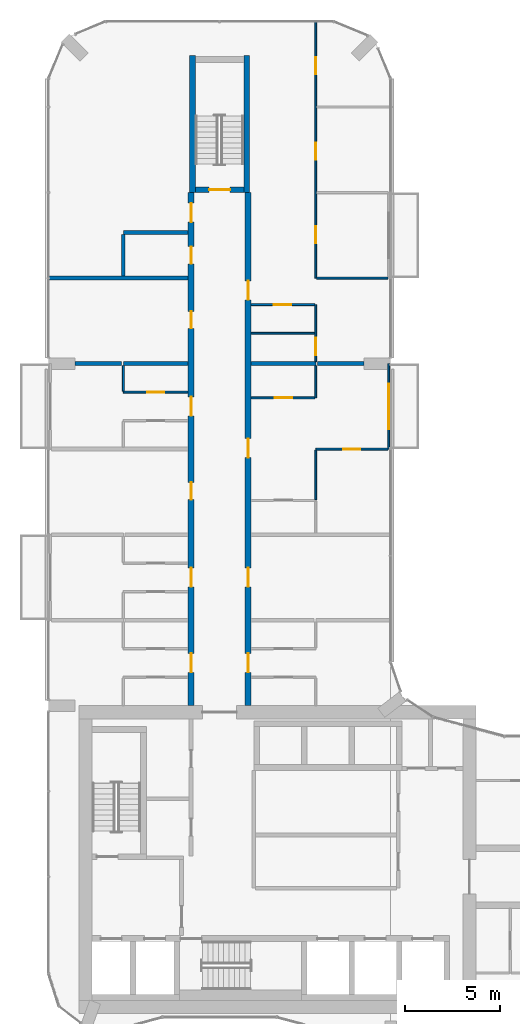
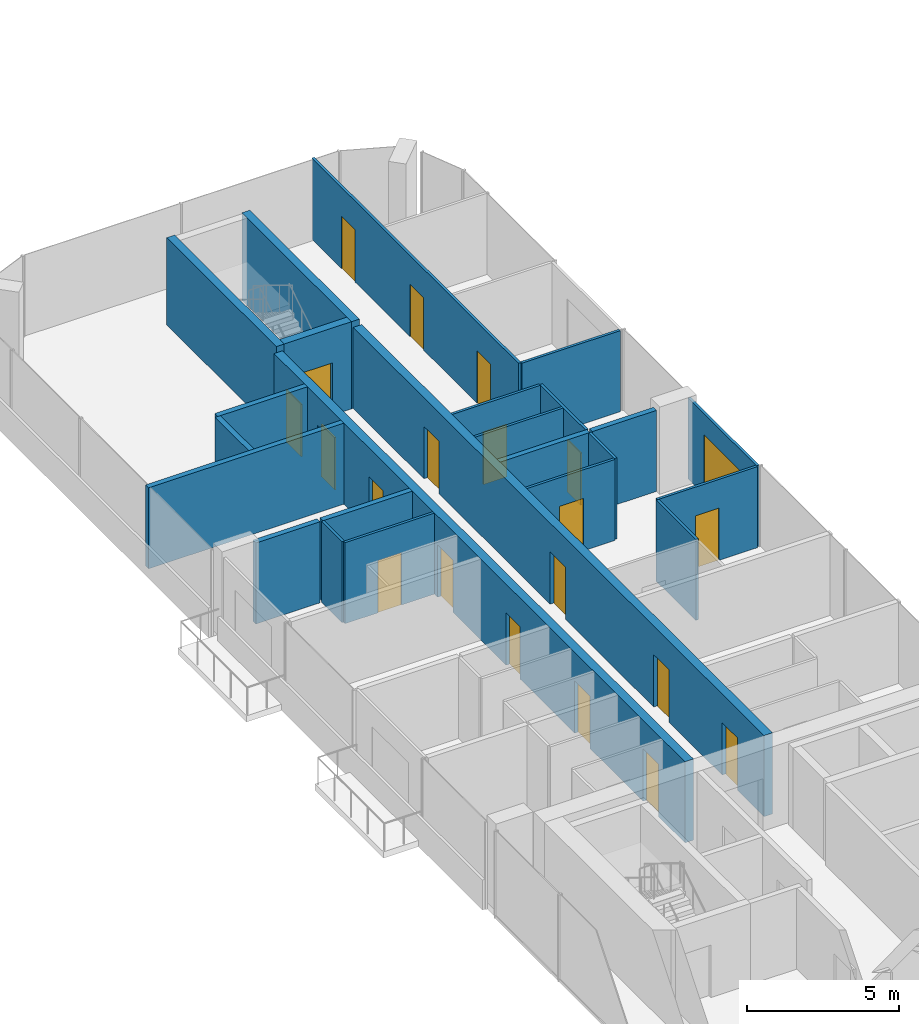
# One storey, part 16 of 23: 24 walls, 21 doors, 21 openings.
"""IFC4 building model written with IfcOpenShell, lengths in metres."""

from ifc_helpers import new_model, si_unit, direction, frame, frame_2d, origin, place, context, subcontext, project, spatial, rectangle, extrude, material, layer, layer_set, type_object, element, fill, save


model = new_model("IFC4")

# Units and contexts
model_context = context("Model", 3, precision=1e-05, world=origin(), true_north=direction((0.0, 1.0)))
body_context = subcontext(model_context, "Body", "Model", "MODEL_VIEW")
ifc_project = project(units=[si_unit("LENGTHUNIT", "METRE"), si_unit("AREAUNIT", "SQUARE_METRE"), si_unit("VOLUMEUNIT", "CUBIC_METRE"), si_unit("PLANEANGLEUNIT", "RADIAN"), si_unit("MASSUNIT", "GRAM", prefix="KILO")], contexts=[model_context])

# Site, building, storey
site_placement = place(None, origin())
site = spatial("IfcSite", under=ifc_project, at=site_placement, CompositionType="ELEMENT")
building_placement = place(site_placement, origin())
building = spatial("IfcBuilding", under=site, at=building_placement, Name="Plateau Cross Towers", CompositionType="ELEMENT")
storey_placement = place(building_placement, frame((0.0, 0.0, 95.800048828125)))
storey = spatial("IfcBuildingStorey", under=building, at=storey_placement, Name="L24", CompositionType="ELEMENT", Elevation=95.800048828125)

# Wall, opening, door
ifc_material_1 = material(Name="Aluminium framed glazing", Category="aluminium")
ifc_layer_1 = layer(ifc_material_1, 0.10009765625)
ifc_layer_set_1 = layer_set([ifc_layer_1], Name="Aluminium framed glazing")
wall_type_1 = type_object("IfcWallType", Name="Balcony screen wall 100", PredefinedType="STANDARD", material=ifc_layer_set_1)
wall_1_placement = place(storey_placement, frame((17.89990234375, 36.0, 0.0), z_axis=(0.0, 0.0, 1.0), x_axis=(0.0, -1.0, 0.0)))
wall_1 = element("IfcWall", 1, at=wall_1_placement, inside=storey, type_object=wall_type_1, Name="Balcony screen wall A-BAL-L24-03", PredefinedType="STANDARD", context=body_context, shape_type="SweptSolid", body=[
    extrude(rectangle(XDim=4.5, YDim=0.10009765625, at=frame_2d((2.25, 0.0))), origin(), (0.0, 0.0, 1.0), 3.25),
])
opening_1_placement = place(wall_1_placement, frame((1.050048828125, 0.0, 0.0)))
opening_1 = element("IfcOpeningElement", 2, at=opening_1_placement, cuts=wall_1, Name="Opening D-B24", PredefinedType="OPENING", context=body_context, shape_type="SweptSolid", body=[
    extrude(rectangle(XDim=2.39990234375, YDim=2.39990234375, at=frame_2d((1.199951171875, 1.199951171875))), frame((0.0, 0.06005859375, 0.0), z_axis=(0.0, -1.0, 0.0), x_axis=(1.0, 0.0, 0.0)), (0.0, 0.0, 1.0), 0.1201171875),
])
ifc_material_2 = material(Name="Aluminium frame, double glazing", Category="aluminium")
door_type_1 = type_object("IfcDoorType", Name="Balcony sliding door 2400", OperationType="NOTDEFINED", PredefinedType="DOOR", material=ifc_material_2)
door_1_placement = place(opening_1_placement, origin())
door_1 = element("IfcDoor", 3, at=door_1_placement, inside=storey, type_object=door_type_1, Name="Balcony door A-BAL-L24-03", OperationType="SINGLE_SWING_LEFT", OverallHeight=2.39990234375, OverallWidth=2.39990234375, PredefinedType="DOOR", context=body_context, shape_type="SweptSolid", body=[
    extrude(rectangle(XDim=2.39990234375, YDim=2.39990234375, at=frame_2d((1.199951171875, 1.199951171875))), frame((0.0, 0.02490234375, 0.0), z_axis=(0.0, -1.0, 0.0), x_axis=(1.0, 0.0, 0.0)), (0.0, 0.0, 1.0), 0.050048828125),
])
fill(opening_1, door_1)

# Wall, openings, doors
ifc_material_3 = material(Name="Concrete C60/75", Category="concrete")
ifc_layer_2 = layer(ifc_material_3, 0.324951171875)
ifc_layer_set_2 = layer_set([ifc_layer_2], Name="Concrete C60/75")
wall_type_2 = type_object("IfcWallType", Name="Corridor wall 325", PredefinedType="SHEAR", material=ifc_layer_set_2)
wall_2_placement = place(storey_placement, frame((7.5, 18.0, 0.0), z_axis=(0.0, 0.0, 1.0), x_axis=(0.0, 1.0, 0.0)))
wall_2 = element("IfcWall", 4, at=wall_2_placement, inside=storey, type_object=wall_type_2, Name="A-cw-W1@L24", PredefinedType="SHEAR", context=body_context, shape_type="SweptSolid", body=[
    extrude(rectangle(XDim=27.0, YDim=0.324951171875, at=frame_2d((13.5, 0.0))), origin(), (0.0, 0.0, 1.0), 3.25),
])
opening_2_placement = place(wall_2_placement, frame((1.75, 0.0, 0.0)))
opening_2 = element("IfcOpeningElement", 5, at=opening_2_placement, cuts=wall_2, Name="Opening 24-07", PredefinedType="OPENING", context=body_context, shape_type="SweptSolid", body=[
    extrude(rectangle(XDim=1.0, YDim=2.10009765625, at=frame_2d((0.5, 1.050048828125))), frame((0.0, 0.17236328125, 0.0), z_axis=(0.0, -1.0, 0.0), x_axis=(1.0, 0.0, 0.0)), (0.0, 0.0, 1.0), 0.344970703125),
])
opening_3_placement = place(wall_2_placement, frame((6.25, 0.0, 0.0)))
opening_3 = element("IfcOpeningElement", 6, at=opening_3_placement, cuts=wall_2, Name="Opening 24-08", PredefinedType="OPENING", context=body_context, shape_type="SweptSolid", body=[
    extrude(rectangle(XDim=1.0, YDim=2.10009765625, at=frame_2d((0.5, 1.050048828125))), frame((0.0, 0.17236328125, 0.0), z_axis=(0.0, -1.0, 0.0), x_axis=(1.0, 0.0, 0.0)), (0.0, 0.0, 1.0), 0.344970703125),
])
opening_4_placement = place(wall_2_placement, frame((10.85009765625, 0.0, 0.0)))
opening_4 = element("IfcOpeningElement", 7, at=opening_4_placement, cuts=wall_2, Name="Opening 24-09", PredefinedType="OPENING", context=body_context, shape_type="SweptSolid", body=[
    extrude(rectangle(XDim=0.89990234375, YDim=2.10009765625, at=frame_2d((0.449951171875, 1.050048828125))), frame((0.0, 0.17236328125, 0.0), z_axis=(0.0, -1.0, 0.0), x_axis=(1.0, 0.0, 0.0)), (0.0, 0.0, 1.0), 0.344970703125),
])
opening_5_placement = place(wall_2_placement, frame((15.25, 0.0, 0.0)))
opening_5 = element("IfcOpeningElement", 8, at=opening_5_placement, cuts=wall_2, Name="Opening 24-10", PredefinedType="OPENING", context=body_context, shape_type="SweptSolid", body=[
    extrude(rectangle(XDim=1.0, YDim=2.10009765625, at=frame_2d((0.5, 1.050048828125))), frame((0.0, 0.17236328125, 0.0), z_axis=(0.0, -1.0, 0.0), x_axis=(1.0, 0.0, 0.0)), (0.0, 0.0, 1.0), 0.344970703125),
])
opening_6_placement = place(wall_2_placement, frame((19.85009765625, 0.0, 0.0)))
opening_6 = element("IfcOpeningElement", 9, at=opening_6_placement, cuts=wall_2, Name="Opening 24-11", PredefinedType="OPENING", context=body_context, shape_type="SweptSolid", body=[
    extrude(rectangle(XDim=0.89990234375, YDim=2.10009765625, at=frame_2d((0.449951171875, 1.050048828125))), frame((0.0, 0.17236328125, 0.0), z_axis=(0.0, -1.0, 0.0), x_axis=(1.0, 0.0, 0.0)), (0.0, 0.0, 1.0), 0.344970703125),
])
opening_7_placement = place(wall_2_placement, frame((23.25, 0.0, 0.0)))
opening_7 = element("IfcOpeningElement", 10, at=opening_7_placement, cuts=wall_2, Name="Opening 24-12", PredefinedType="OPENING", context=body_context, shape_type="SweptSolid", body=[
    extrude(rectangle(XDim=0.89990234375, YDim=2.10009765625, at=frame_2d((0.449951171875, 1.050048828125))), frame((0.0, 0.17236328125, 0.0), z_axis=(0.0, -1.0, 0.0), x_axis=(1.0, 0.0, 0.0)), (0.0, 0.0, 1.0), 0.344970703125),
])
opening_8_placement = place(wall_2_placement, frame((25.449951171875, 0.0, 0.0)))
opening_8 = element("IfcOpeningElement", 11, at=opening_8_placement, cuts=wall_2, Name="Opening 24-13", PredefinedType="OPENING", context=body_context, shape_type="SweptSolid", body=[
    extrude(rectangle(XDim=1.0, YDim=2.10009765625, at=frame_2d((0.5, 1.050048828125))), frame((0.0, 0.17236328125, 0.0), z_axis=(0.0, -1.0, 0.0), x_axis=(1.0, 0.0, 0.0)), (0.0, 0.0, 1.0), 0.344970703125),
])
ifc_material_4 = material(Name="Timber, fire-resisting leaf", Category="wood")
door_type_2 = type_object("IfcDoorType", Name="Flat entrance door 1000", OperationType="NOTDEFINED", PredefinedType="DOOR", material=ifc_material_4)
door_2_placement = place(opening_2_placement, origin())
door_2 = element("IfcDoor", 12, at=door_2_placement, inside=storey, type_object=door_type_2, Name="Door 24-07", OperationType="SINGLE_SWING_LEFT", OverallHeight=2.10009765625, OverallWidth=1.0, PredefinedType="DOOR", context=body_context, shape_type="SweptSolid", body=[
    extrude(rectangle(XDim=1.0, YDim=2.10009765625, at=frame_2d((0.5, 1.050048828125))), frame((0.0, 0.02490234375, 0.0), z_axis=(0.0, -1.0, 0.0), x_axis=(1.0, 0.0, 0.0)), (0.0, 0.0, 1.0), 0.050048828125),
])
fill(opening_2, door_2)
door_3_placement = place(opening_3_placement, origin())
door_3 = element("IfcDoor", 13, at=door_3_placement, inside=storey, type_object=door_type_2, Name="Door 24-08", OperationType="SINGLE_SWING_LEFT", OverallHeight=2.10009765625, OverallWidth=1.0, PredefinedType="DOOR", context=body_context, shape_type="SweptSolid", body=[
    extrude(rectangle(XDim=1.0, YDim=2.10009765625, at=frame_2d((0.5, 1.050048828125))), frame((0.0, 0.02490234375, 0.0), z_axis=(0.0, -1.0, 0.0), x_axis=(1.0, 0.0, 0.0)), (0.0, 0.0, 1.0), 0.050048828125),
])
fill(opening_3, door_3)
door_4_placement = place(opening_5_placement, origin())
door_4 = element("IfcDoor", 14, at=door_4_placement, inside=storey, type_object=door_type_2, Name="Door 24-10", OperationType="SINGLE_SWING_RIGHT", OverallHeight=2.10009765625, OverallWidth=1.0, PredefinedType="DOOR", context=body_context, shape_type="SweptSolid", body=[
    extrude(rectangle(XDim=1.0, YDim=2.10009765625, at=frame_2d((0.5, 1.050048828125))), frame((0.0, 0.02490234375, 0.0), z_axis=(0.0, -1.0, 0.0), x_axis=(1.0, 0.0, 0.0)), (0.0, 0.0, 1.0), 0.050048828125),
])
fill(opening_5, door_4)
door_5_placement = place(opening_8_placement, origin())
door_5 = element("IfcDoor", 15, at=door_5_placement, inside=storey, type_object=door_type_2, Name="Door 24-13", OperationType="SINGLE_SWING_RIGHT", OverallHeight=2.10009765625, OverallWidth=1.0, PredefinedType="DOOR", context=body_context, shape_type="SweptSolid", body=[
    extrude(rectangle(XDim=1.0, YDim=2.10009765625, at=frame_2d((0.5, 1.050048828125))), frame((0.0, 0.02490234375, 0.0), z_axis=(0.0, -1.0, 0.0), x_axis=(1.0, 0.0, 0.0)), (0.0, 0.0, 1.0), 0.050048828125),
])
fill(opening_8, door_5)
door_type_3 = type_object("IfcDoorType", Name="Flat floor service door 900", OperationType="NOTDEFINED", PredefinedType="DOOR", material=ifc_material_4)
door_6_placement = place(opening_4_placement, origin())
door_6 = element("IfcDoor", 16, at=door_6_placement, inside=storey, type_object=door_type_3, Name="Door 24-09", OperationType="SINGLE_SWING_LEFT", OverallHeight=2.10009765625, OverallWidth=0.89990234375, PredefinedType="DOOR", context=body_context, shape_type="SweptSolid", body=[
    extrude(rectangle(XDim=0.89990234375, YDim=2.10009765625, at=frame_2d((0.449951171875, 1.050048828125))), frame((0.0, 0.02490234375, 0.0), z_axis=(0.0, -1.0, 0.0), x_axis=(1.0, 0.0, 0.0)), (0.0, 0.0, 1.0), 0.050048828125),
])
fill(opening_4, door_6)
door_7_placement = place(opening_6_placement, origin())
door_7 = element("IfcDoor", 17, at=door_7_placement, inside=storey, type_object=door_type_3, Name="Door 24-11", OperationType="SINGLE_SWING_RIGHT", OverallHeight=2.10009765625, OverallWidth=0.89990234375, PredefinedType="DOOR", context=body_context, shape_type="SweptSolid", body=[
    extrude(rectangle(XDim=0.89990234375, YDim=2.10009765625, at=frame_2d((0.449951171875, 1.050048828125))), frame((0.0, 0.02490234375, 0.0), z_axis=(0.0, -1.0, 0.0), x_axis=(1.0, 0.0, 0.0)), (0.0, 0.0, 1.0), 0.050048828125),
])
fill(opening_6, door_7)
door_8_placement = place(opening_7_placement, origin())
door_8 = element("IfcDoor", 18, at=door_8_placement, inside=storey, type_object=door_type_3, Name="Door 24-12", OperationType="SINGLE_SWING_RIGHT", OverallHeight=2.10009765625, OverallWidth=0.89990234375, PredefinedType="DOOR", context=body_context, shape_type="SweptSolid", body=[
    extrude(rectangle(XDim=0.89990234375, YDim=2.10009765625, at=frame_2d((0.449951171875, 1.050048828125))), frame((0.0, 0.02490234375, 0.0), z_axis=(0.0, -1.0, 0.0), x_axis=(1.0, 0.0, 0.0)), (0.0, 0.0, 1.0), 0.050048828125),
])
fill(opening_7, door_8)

wall_3_placement = place(storey_placement, frame((10.5, 18.0, 0.0), z_axis=(0.0, 0.0, 1.0), x_axis=(0.0, 1.0, 0.0)))
wall_3 = element("IfcWall", 19, at=wall_3_placement, inside=storey, type_object=wall_type_2, Name="A-cw-W2@L24", PredefinedType="SHEAR", context=body_context, shape_type="SweptSolid", body=[
    extrude(rectangle(XDim=27.0, YDim=0.324951171875, at=frame_2d((13.5, 0.0))), origin(), (0.0, 0.0, 1.0), 3.25),
])
opening_9_placement = place(wall_3_placement, frame((1.75, 0.0, 0.0)))
opening_9 = element("IfcOpeningElement", 20, at=opening_9_placement, cuts=wall_3, Name="Opening 24-14", PredefinedType="OPENING", context=body_context, shape_type="SweptSolid", body=[
    extrude(rectangle(XDim=1.0, YDim=2.10009765625, at=frame_2d((0.5, 1.050048828125))), frame((0.0, 0.17236328125, 0.0), z_axis=(0.0, -1.0, 0.0), x_axis=(1.0, 0.0, 0.0)), (0.0, 0.0, 1.0), 0.344970703125),
])
opening_10_placement = place(wall_3_placement, frame((6.25, 0.0, 0.0)))
opening_10 = element("IfcOpeningElement", 21, at=opening_10_placement, cuts=wall_3, Name="Opening 24-15", PredefinedType="OPENING", context=body_context, shape_type="SweptSolid", body=[
    extrude(rectangle(XDim=1.0, YDim=2.10009765625, at=frame_2d((0.5, 1.050048828125))), frame((0.0, 0.17236328125, 0.0), z_axis=(0.0, -1.0, 0.0), x_axis=(1.0, 0.0, 0.0)), (0.0, 0.0, 1.0), 0.344970703125),
])
opening_11_placement = place(wall_3_placement, frame((13.050048828125, 0.0, 0.0)))
opening_11 = element("IfcOpeningElement", 22, at=opening_11_placement, cuts=wall_3, Name="Opening 24-16", PredefinedType="OPENING", context=body_context, shape_type="SweptSolid", body=[
    extrude(rectangle(XDim=1.0, YDim=2.10009765625, at=frame_2d((0.5, 1.050048828125))), frame((0.0, 0.17236328125, 0.0), z_axis=(0.0, -1.0, 0.0), x_axis=(1.0, 0.0, 0.0)), (0.0, 0.0, 1.0), 0.344970703125),
])
opening_12_placement = place(wall_3_placement, frame((21.35009765625, 0.0, 0.0)))
opening_12 = element("IfcOpeningElement", 23, at=opening_12_placement, cuts=wall_3, Name="Opening 24-17", PredefinedType="OPENING", context=body_context, shape_type="SweptSolid", body=[
    extrude(rectangle(XDim=1.0, YDim=2.10009765625, at=frame_2d((0.5, 1.050048828125))), frame((0.0, 0.17236328125, 0.0), z_axis=(0.0, -1.0, 0.0), x_axis=(1.0, 0.0, 0.0)), (0.0, 0.0, 1.0), 0.344970703125),
])
door_9_placement = place(opening_9_placement, origin())
door_9 = element("IfcDoor", 24, at=door_9_placement, inside=storey, type_object=door_type_2, Name="Door 24-14", OperationType="SINGLE_SWING_LEFT", OverallHeight=2.10009765625, OverallWidth=1.0, PredefinedType="DOOR", context=body_context, shape_type="SweptSolid", body=[
    extrude(rectangle(XDim=1.0, YDim=2.10009765625, at=frame_2d((0.5, 1.050048828125))), frame((0.0, 0.02490234375, 0.0), z_axis=(0.0, -1.0, 0.0), x_axis=(1.0, 0.0, 0.0)), (0.0, 0.0, 1.0), 0.050048828125),
])
fill(opening_9, door_9)
door_10_placement = place(opening_10_placement, origin())
door_10 = element("IfcDoor", 25, at=door_10_placement, inside=storey, type_object=door_type_2, Name="Door 24-15", OperationType="SINGLE_SWING_LEFT", OverallHeight=2.10009765625, OverallWidth=1.0, PredefinedType="DOOR", context=body_context, shape_type="SweptSolid", body=[
    extrude(rectangle(XDim=1.0, YDim=2.10009765625, at=frame_2d((0.5, 1.050048828125))), frame((0.0, 0.02490234375, 0.0), z_axis=(0.0, -1.0, 0.0), x_axis=(1.0, 0.0, 0.0)), (0.0, 0.0, 1.0), 0.050048828125),
])
fill(opening_10, door_10)
door_11_placement = place(opening_11_placement, origin())
door_11 = element("IfcDoor", 26, at=door_11_placement, inside=storey, type_object=door_type_2, Name="Door 24-16", OperationType="SINGLE_SWING_RIGHT", OverallHeight=2.10009765625, OverallWidth=1.0, PredefinedType="DOOR", context=body_context, shape_type="SweptSolid", body=[
    extrude(rectangle(XDim=1.0, YDim=2.10009765625, at=frame_2d((0.5, 1.050048828125))), frame((0.0, 0.02490234375, 0.0), z_axis=(0.0, -1.0, 0.0), x_axis=(1.0, 0.0, 0.0)), (0.0, 0.0, 1.0), 0.050048828125),
])
fill(opening_11, door_11)
door_12_placement = place(opening_12_placement, origin())
door_12 = element("IfcDoor", 27, at=door_12_placement, inside=storey, type_object=door_type_2, Name="Door 24-17", OperationType="SINGLE_SWING_RIGHT", OverallHeight=2.10009765625, OverallWidth=1.0, PredefinedType="DOOR", context=body_context, shape_type="SweptSolid", body=[
    extrude(rectangle(XDim=1.0, YDim=2.10009765625, at=frame_2d((0.5, 1.050048828125))), frame((0.0, 0.02490234375, 0.0), z_axis=(0.0, -1.0, 0.0), x_axis=(1.0, 0.0, 0.0)), (0.0, 0.0, 1.0), 0.050048828125),
])
fill(opening_12, door_12)

# Wall, opening, door
ifc_material_5 = material(Name="Gypsum board on steel studs", Category="steel")
ifc_layer_3 = layer(ifc_material_5, 0.10009765625)
ifc_layer_set_3 = layer_set([ifc_layer_3], Name="Gypsum board on steel studs")
wall_type_3 = type_object("IfcWallType", Name="Flat partition 100", PredefinedType="PARTITIONING", material=ifc_layer_set_3)
wall_4_placement = place(storey_placement, frame((17.85009765625, 31.5, 0.0), z_axis=(0.0, 0.0, 1.0), x_axis=(-1.0, 0.0, 0.0)))
wall_4 = element("IfcWall", 28, at=wall_4_placement, inside=storey, type_object=wall_type_3, Name="Partition wall", PredefinedType="PARTITIONING", context=body_context, shape_type="SweptSolid", body=[
    extrude(rectangle(XDim=3.78759765625, YDim=0.10009765625, at=frame_2d((1.893798828125, 0.0))), origin(), (0.0, 0.0, 1.0), 3.25),
])
opening_13_placement = place(wall_4_placement, frame((1.449951171875, 0.0, 0.0)))
opening_13 = element("IfcOpeningElement", 29, at=opening_13_placement, cuts=wall_4, Name="Opening 24-43", PredefinedType="OPENING", context=body_context, shape_type="SweptSolid", body=[
    extrude(rectangle(XDim=0.89990234375, YDim=2.10009765625, at=frame_2d((0.449951171875, 1.050048828125))), frame((0.0, 0.06005859375, 0.0), z_axis=(0.0, -1.0, 0.0), x_axis=(1.0, 0.0, 0.0)), (0.0, 0.0, 1.0), 0.1201171875),
])
ifc_material_6 = material(Name="Timber leaf", Category="wood")
door_type_4 = type_object("IfcDoorType", Name="Flat room door 900", OperationType="NOTDEFINED", PredefinedType="DOOR", material=ifc_material_6)
door_13_placement = place(opening_13_placement, origin())
door_13 = element("IfcDoor", 30, at=door_13_placement, inside=storey, type_object=door_type_4, Name="Door 24-43", OperationType="SINGLE_SWING_RIGHT", OverallHeight=2.10009765625, OverallWidth=0.89990234375, PredefinedType="DOOR", context=body_context, shape_type="SweptSolid", body=[
    extrude(rectangle(XDim=0.89990234375, YDim=2.10009765625, at=frame_2d((0.449951171875, 1.050048828125))), frame((0.0, 0.02490234375, 0.0), z_axis=(0.0, -1.0, 0.0), x_axis=(1.0, 0.0, 0.0)), (0.0, 0.0, 1.0), 0.050048828125),
])
fill(opening_13, door_13)

wall_5_placement = place(storey_placement, frame((10.66259765625, 34.199951171875, 0.0), z_axis=(0.0, 0.0, 1.0), x_axis=(1.0, 0.0, 0.0)))
wall_5 = element("IfcWall", 31, at=wall_5_placement, inside=storey, type_object=wall_type_3, Name="Partition wall", PredefinedType="PARTITIONING", context=body_context, shape_type="SweptSolid", body=[
    extrude(rectangle(XDim=3.349853515625, YDim=0.10009765625, at=frame_2d((1.6748046875, 0.0))), origin(), (0.0, 0.0, 1.0), 3.25),
])
opening_14_placement = place(wall_5_placement, frame((1.25, 0.0, 0.0)))
opening_14 = element("IfcOpeningElement", 32, at=opening_14_placement, cuts=wall_5, Name="Opening 24-42", PredefinedType="OPENING", context=body_context, shape_type="SweptSolid", body=[
    extrude(rectangle(XDim=0.89990234375, YDim=2.10009765625, at=frame_2d((0.449951171875, 1.050048828125))), frame((0.0, 0.06005859375, 0.0), z_axis=(0.0, -1.0, 0.0), x_axis=(1.0, 0.0, 0.0)), (0.0, 0.0, 1.0), 0.1201171875),
])
door_14_placement = place(opening_14_placement, origin())
door_14 = element("IfcDoor", 33, at=door_14_placement, inside=storey, type_object=door_type_4, Name="Door 24-42", OperationType="SINGLE_SWING_RIGHT", OverallHeight=2.10009765625, OverallWidth=0.89990234375, PredefinedType="DOOR", context=body_context, shape_type="SweptSolid", body=[
    extrude(rectangle(XDim=0.89990234375, YDim=2.10009765625, at=frame_2d((0.449951171875, 1.050048828125))), frame((0.0, 0.02490234375, 0.0), z_axis=(0.0, -1.0, 0.0), x_axis=(1.0, 0.0, 0.0)), (0.0, 0.0, 1.0), 0.050048828125),
])
fill(opening_14, door_14)

wall_6_placement = place(storey_placement, frame((3.9375, 34.5, 0.0), z_axis=(0.0, 0.0, 1.0), x_axis=(1.0, 0.0, 0.0)))
wall_6 = element("IfcWall", 34, at=wall_6_placement, inside=storey, type_object=wall_type_3, Name="Partition wall", PredefinedType="PARTITIONING", context=body_context, shape_type="SweptSolid", body=[
    extrude(rectangle(XDim=3.39990234375, YDim=0.10009765625, at=frame_2d((1.699951171875, 0.0))), origin(), (0.0, 0.0, 1.0), 3.25),
])
opening_15_placement = place(wall_6_placement, frame((1.25, 0.0, 0.0)))
opening_15 = element("IfcOpeningElement", 35, at=opening_15_placement, cuts=wall_6, Name="Opening 24-38", PredefinedType="OPENING", context=body_context, shape_type="SweptSolid", body=[
    extrude(rectangle(XDim=0.89990234375, YDim=2.10009765625, at=frame_2d((0.449951171875, 1.050048828125))), frame((0.0, 0.06005859375, 0.0), z_axis=(0.0, -1.0, 0.0), x_axis=(1.0, 0.0, 0.0)), (0.0, 0.0, 1.0), 0.1201171875),
])
door_15_placement = place(opening_15_placement, origin())
door_15 = element("IfcDoor", 36, at=door_15_placement, inside=storey, type_object=door_type_4, Name="Door 24-38", OperationType="SINGLE_SWING_LEFT", OverallHeight=2.10009765625, OverallWidth=0.89990234375, PredefinedType="DOOR", context=body_context, shape_type="SweptSolid", body=[
    extrude(rectangle(XDim=0.89990234375, YDim=2.10009765625, at=frame_2d((0.449951171875, 1.050048828125))), frame((0.0, 0.02490234375, 0.0), z_axis=(0.0, -1.0, 0.0), x_axis=(1.0, 0.0, 0.0)), (0.0, 0.0, 1.0), 0.050048828125),
])
fill(opening_15, door_15)

# Wall
wall_7_placement = place(storey_placement, frame((14.012451171875, 37.60009765625, 0.0), z_axis=(0.0, 0.0, 1.0), x_axis=(-1.0, 0.0, 0.0)))
element("IfcWall", 37, at=wall_7_placement, inside=storey, type_object=wall_type_3, Name="Partition wall", PredefinedType="PARTITIONING", context=body_context, shape_type="SweptSolid", body=[
    extrude(rectangle(XDim=3.349853515625, YDim=0.10009765625, at=frame_2d((1.6748046875, 0.0))), origin(), (0.0, 0.0, 1.0), 3.25),
])

# Wall, opening, door
wall_8_placement = place(storey_placement, frame((14.012451171875, 39.10009765625, 0.0), z_axis=(0.0, 0.0, 1.0), x_axis=(-1.0, 0.0, 0.0)))
wall_8 = element("IfcWall", 38, at=wall_8_placement, inside=storey, type_object=wall_type_3, Name="Partition wall", PredefinedType="PARTITIONING", context=body_context, shape_type="SweptSolid", body=[
    extrude(rectangle(XDim=3.349853515625, YDim=0.10009765625, at=frame_2d((1.6748046875, 0.0))), origin(), (0.0, 0.0, 1.0), 3.25),
])
opening_16_placement = place(wall_8_placement, frame((1.25, 0.0, 0.0)))
opening_16 = element("IfcOpeningElement", 39, at=opening_16_placement, cuts=wall_8, Name="Opening 24-45", PredefinedType="OPENING", context=body_context, shape_type="SweptSolid", body=[
    extrude(rectangle(XDim=0.89990234375, YDim=2.10009765625, at=frame_2d((0.449951171875, 1.050048828125))), frame((0.0, 0.06005859375, 0.0), z_axis=(0.0, -1.0, 0.0), x_axis=(1.0, 0.0, 0.0)), (0.0, 0.0, 1.0), 0.1201171875),
])
door_16_placement = place(opening_16_placement, origin())
door_16 = element("IfcDoor", 40, at=door_16_placement, inside=storey, type_object=door_type_4, Name="Door 24-45", OperationType="SINGLE_SWING_RIGHT", OverallHeight=2.10009765625, OverallWidth=0.89990234375, PredefinedType="DOOR", context=body_context, shape_type="SweptSolid", body=[
    extrude(rectangle(XDim=0.89990234375, YDim=2.10009765625, at=frame_2d((0.449951171875, 1.050048828125))), frame((0.0, 0.02490234375, 0.0), z_axis=(0.0, -1.0, 0.0), x_axis=(1.0, 0.0, 0.0)), (0.0, 0.0, 1.0), 0.050048828125),
])
fill(opening_16, door_16)

# Walls
wall_9_placement = place(storey_placement, frame((14.112548828125, 40.5, 0.0), z_axis=(0.0, 0.0, 1.0), x_axis=(1.0, 0.0, 0.0)))
element("IfcWall", 41, at=wall_9_placement, inside=storey, type_object=wall_type_3, Name="Partition wall", PredefinedType="PARTITIONING", context=body_context, shape_type="SweptSolid", body=[
    extrude(rectangle(XDim=3.737548828125, YDim=0.10009765625, at=frame_2d((1.86865234375, 0.0))), origin(), (0.0, 0.0, 1.0), 3.25),
])
wall_10_placement = place(storey_placement, frame((3.9375, 35.89990234375, 0.0), z_axis=(0.0, 0.0, 1.0), x_axis=(0.0, -1.0, 0.0)))
element("IfcWall", 42, at=wall_10_placement, inside=storey, type_object=wall_type_3, Name="Partition wall", PredefinedType="PARTITIONING", context=body_context, shape_type="SweptSolid", body=[
    extrude(rectangle(XDim=1.349853515625, YDim=0.10009765625, at=frame_2d((0.6748046875, 0.0))), origin(), (0.0, 0.0, 1.0), 3.25),
])
wall_11_placement = place(storey_placement, frame((14.0625, 31.449951171875, 0.0), z_axis=(0.0, 0.0, 1.0), x_axis=(0.0, -1.0, 0.0)))
element("IfcWall", 43, at=wall_11_placement, inside=storey, type_object=wall_type_3, Name="Partition wall", PredefinedType="PARTITIONING", context=body_context, shape_type="SweptSolid", body=[
    extrude(rectangle(XDim=2.599853515625, YDim=0.10009765625, at=frame_2d((1.2998046875, 0.0))), origin(), (0.0, 0.0, 1.0), 3.25),
])

# Wall, openings, doors
wall_12_placement = place(storey_placement, frame((14.0625, 54.080078125, 0.0), z_axis=(0.0, 0.0, 1.0), x_axis=(0.0, -1.0, 0.0)))
wall_12 = element("IfcWall", 44, at=wall_12_placement, inside=storey, type_object=wall_type_3, Name="Partition wall", PredefinedType="PARTITIONING", context=body_context, shape_type="SweptSolid", body=[
    extrude(rectangle(XDim=13.580078125, YDim=0.10009765625, at=frame_2d((6.7900390625, 0.0))), origin(), (0.0, 0.0, 1.0), 3.25),
])
opening_17_placement = place(wall_12_placement, frame((10.85009765625, 0.0, 0.0)))
opening_17 = element("IfcOpeningElement", 45, at=opening_17_placement, cuts=wall_12, Name="Opening 24-46", PredefinedType="OPENING", context=body_context, shape_type="SweptSolid", body=[
    extrude(rectangle(XDim=0.89990234375, YDim=2.10009765625, at=frame_2d((0.449951171875, 1.050048828125))), frame((0.0, 0.06005859375, 0.0), z_axis=(0.0, -1.0, 0.0), x_axis=(1.0, 0.0, 0.0)), (0.0, 0.0, 1.0), 0.1201171875),
])
opening_18_placement = place(wall_12_placement, frame((6.449951171875, 0.0, 0.0)))
opening_18 = element("IfcOpeningElement", 46, at=opening_18_placement, cuts=wall_12, Name="Opening 24-47", PredefinedType="OPENING", context=body_context, shape_type="SweptSolid", body=[
    extrude(rectangle(XDim=0.89990234375, YDim=2.10009765625, at=frame_2d((0.449951171875, 1.050048828125))), frame((0.0, 0.06005859375, 0.0), z_axis=(0.0, -1.0, 0.0), x_axis=(1.0, 0.0, 0.0)), (0.0, 0.0, 1.0), 0.1201171875),
])
opening_19_placement = place(wall_12_placement, frame((1.949951171875, 0.0, 0.0)))
opening_19 = element("IfcOpeningElement", 47, at=opening_19_placement, cuts=wall_12, Name="Opening 24-48", PredefinedType="OPENING", context=body_context, shape_type="SweptSolid", body=[
    extrude(rectangle(XDim=0.89990234375, YDim=2.10009765625, at=frame_2d((0.449951171875, 1.050048828125))), frame((0.0, 0.06005859375, 0.0), z_axis=(0.0, -1.0, 0.0), x_axis=(1.0, 0.0, 0.0)), (0.0, 0.0, 1.0), 0.1201171875),
])
door_17_placement = place(opening_17_placement, origin())
door_17 = element("IfcDoor", 48, at=door_17_placement, inside=storey, type_object=door_type_4, Name="Door 24-46", OperationType="SINGLE_SWING_RIGHT", OverallHeight=2.10009765625, OverallWidth=0.89990234375, PredefinedType="DOOR", context=body_context, shape_type="SweptSolid", body=[
    extrude(rectangle(XDim=0.89990234375, YDim=2.10009765625, at=frame_2d((0.449951171875, 1.050048828125))), frame((0.0, 0.02490234375, 0.0), z_axis=(0.0, -1.0, 0.0), x_axis=(1.0, 0.0, 0.0)), (0.0, 0.0, 1.0), 0.050048828125),
])
fill(opening_17, door_17)
door_18_placement = place(opening_18_placement, origin())
door_18 = element("IfcDoor", 49, at=door_18_placement, inside=storey, type_object=door_type_4, Name="Door 24-47", OperationType="SINGLE_SWING_RIGHT", OverallHeight=2.10009765625, OverallWidth=0.89990234375, PredefinedType="DOOR", context=body_context, shape_type="SweptSolid", body=[
    extrude(rectangle(XDim=0.89990234375, YDim=2.10009765625, at=frame_2d((0.449951171875, 1.050048828125))), frame((0.0, 0.02490234375, 0.0), z_axis=(0.0, -1.0, 0.0), x_axis=(1.0, 0.0, 0.0)), (0.0, 0.0, 1.0), 0.050048828125),
])
fill(opening_18, door_18)
door_19_placement = place(opening_19_placement, origin())
door_19 = element("IfcDoor", 50, at=door_19_placement, inside=storey, type_object=door_type_4, Name="Door 24-48", OperationType="SINGLE_SWING_LEFT", OverallHeight=2.10009765625, OverallWidth=0.89990234375, PredefinedType="DOOR", context=body_context, shape_type="SweptSolid", body=[
    extrude(rectangle(XDim=0.89990234375, YDim=2.10009765625, at=frame_2d((0.449951171875, 1.050048828125))), frame((0.0, 0.02490234375, 0.0), z_axis=(0.0, -1.0, 0.0), x_axis=(1.0, 0.0, 0.0)), (0.0, 0.0, 1.0), 0.050048828125),
])
fill(opening_19, door_19)

# Wall
wall_13_placement = place(storey_placement, frame((14.0625, 34.199951171875, 0.0), z_axis=(0.0, 0.0, 1.0), x_axis=(0.0, 1.0, 0.0)))
element("IfcWall", 51, at=wall_13_placement, inside=storey, type_object=wall_type_3, Name="Partition wall", PredefinedType="PARTITIONING", context=body_context, shape_type="SweptSolid", body=[
    extrude(rectangle(XDim=1.699951171875, YDim=0.10009765625, at=frame_2d((0.85009765625, 0.0))), origin(), (0.0, 0.0, 1.0), 3.25),
])

# Wall, opening, door
wall_14_placement = place(storey_placement, frame((14.0625, 36.10009765625, 0.0), z_axis=(0.0, 0.0, 1.0), x_axis=(0.0, 1.0, 0.0)))
wall_14 = element("IfcWall", 52, at=wall_14_placement, inside=storey, type_object=wall_type_3, Name="Partition wall", PredefinedType="PARTITIONING", context=body_context, shape_type="SweptSolid", body=[
    extrude(rectangle(XDim=3.0, YDim=0.10009765625, at=frame_2d((1.5, 0.0))), origin(), (0.0, 0.0, 1.0), 3.25),
])
opening_20_placement = place(wall_14_placement, frame((0.35009765625, 0.0, 0.0)))
opening_20 = element("IfcOpeningElement", 53, at=opening_20_placement, cuts=wall_14, Name="Opening 24-44", PredefinedType="OPENING", context=body_context, shape_type="SweptSolid", body=[
    extrude(rectangle(XDim=0.89990234375, YDim=2.10009765625, at=frame_2d((0.449951171875, 1.050048828125))), frame((0.0, 0.06005859375, 0.0), z_axis=(0.0, -1.0, 0.0), x_axis=(1.0, 0.0, 0.0)), (0.0, 0.0, 1.0), 0.1201171875),
])
door_20_placement = place(opening_20_placement, origin())
door_20 = element("IfcDoor", 54, at=door_20_placement, inside=storey, type_object=door_type_4, Name="Door 24-44", OperationType="SINGLE_SWING_LEFT", OverallHeight=2.10009765625, OverallWidth=0.89990234375, PredefinedType="DOOR", context=body_context, shape_type="SweptSolid", body=[
    extrude(rectangle(XDim=0.89990234375, YDim=2.10009765625, at=frame_2d((0.449951171875, 1.050048828125))), frame((0.0, 0.02490234375, 0.0), z_axis=(0.0, -1.0, 0.0), x_axis=(1.0, 0.0, 0.0)), (0.0, 0.0, 1.0), 0.050048828125),
])
fill(opening_20, door_20)

# Walls
ifc_material_7 = material(Name="Gypsum board on steel studs, two layers each side", Category="steel")
ifc_layer_4 = layer(ifc_material_7, 0.199951171875)
ifc_layer_set_4 = layer_set([ifc_layer_4], Name="Gypsum board on steel studs, two layers each side")
wall_type_4 = type_object("IfcWallType", Name="Flat party wall 200", PredefinedType="PARTITIONING", material=ifc_layer_set_4)
for number, where, z_axis, x_axis, name in (
    (55, (7.33740234375, 36.0, 0.0), (0.0, 0.0, 1.0), (-1.0, 0.0, 0.0), "Party wall"),
    (56, (14.0625, 36.0, 0.0), (0.0, 0.0, 1.0), (-1.0, 0.0, 0.0), "Party wall"),
):
    element("IfcWall", number, at=place(storey_placement, frame(where, z_axis=z_axis, x_axis=x_axis)), inside=storey, type_object=wall_type_4, Name=name, PredefinedType="PARTITIONING", context=body_context, shape_type="SweptSolid", body=[
        extrude(rectangle(XDim=3.39990234375, YDim=0.199951171875, at=frame_2d((1.699951171875, 0.0))), origin(), (0.0, 0.0, 1.0), 3.25),
    ])
for number, where, z_axis, x_axis, name in (
    (57, (1.39990234375, 36.0, 0.0), (0.0, 0.0, 1.0), (1.0, 0.0, 0.0), "Party wall"),
    (58, (14.16259765625, 36.0, 0.0), (0.0, 0.0, 1.0), (1.0, 0.0, 0.0), "Party wall"),
):
    element("IfcWall", number, at=place(storey_placement, frame(where, z_axis=z_axis, x_axis=x_axis)), inside=storey, type_object=wall_type_4, Name=name, PredefinedType="PARTITIONING", context=body_context, shape_type="SweptSolid", body=[
        extrude(rectangle(XDim=2.4375, YDim=0.199951171875, at=frame_2d((1.21875, 0.0))), origin(), (0.0, 0.0, 1.0), 3.25),
    ])
wall_15_placement = place(storey_placement, frame((7.33740234375, 40.5, 0.0), z_axis=(0.0, 0.0, 1.0), x_axis=(-1.0, 0.0, 0.0)))
element("IfcWall", 59, at=wall_15_placement, inside=storey, type_object=wall_type_4, Name="Party wall", PredefinedType="PARTITIONING", context=body_context, shape_type="SweptSolid", body=[
    extrude(rectangle(XDim=7.41748046875, YDim=0.199951171875, at=frame_2d((3.708740234375, 0.0))), origin(), (0.0, 0.0, 1.0), 3.25),
])
wall_16_placement = place(storey_placement, frame((7.33740234375, 42.89990234375, 0.0), z_axis=(0.0, 0.0, 1.0), x_axis=(-1.0, 0.0, 0.0)))
element("IfcWall", 60, at=wall_16_placement, inside=storey, type_object=wall_type_4, Name="Party wall", PredefinedType="PARTITIONING", context=body_context, shape_type="SweptSolid", body=[
    extrude(rectangle(XDim=3.39990234375, YDim=0.199951171875, at=frame_2d((1.699951171875, 0.0))), origin(), (0.0, 0.0, 1.0), 3.25),
])
wall_17_placement = place(storey_placement, frame((3.9375, 42.800048828125, 0.0), z_axis=(0.0, 0.0, 1.0), x_axis=(0.0, -1.0, 0.0)))
element("IfcWall", 61, at=wall_17_placement, inside=storey, type_object=wall_type_4, Name="Party wall", PredefinedType="PARTITIONING", context=body_context, shape_type="SweptSolid", body=[
    extrude(rectangle(XDim=2.199951171875, YDim=0.199951171875, at=frame_2d((1.10009765625, 0.0))), origin(), (0.0, 0.0, 1.0), 3.25),
])

# Wall, opening, door
ifc_layer_5 = layer(ifc_material_3, 0.300048828125)
ifc_layer_set_5 = layer_set([ifc_layer_5], Name="Concrete C60/75")
wall_type_5 = type_object("IfcWallType", Name="Stair tower wall 300", PredefinedType="SHEAR", material=ifc_layer_set_5)
wall_18_placement = place(storey_placement, frame((7.72509765625, 45.14990234375, 0.0), z_axis=(0.0, 0.0, 1.0), x_axis=(1.0, 0.0, 0.0)))
wall_18 = element("IfcWall", 62, at=wall_18_placement, inside=storey, type_object=wall_type_5, Name="A-end-N-S@L24", PredefinedType="SHEAR", context=body_context, shape_type="SweptSolid", body=[
    extrude(rectangle(XDim=2.5498046875, YDim=0.300048828125, at=frame_2d((1.27490234375, 0.0))), origin(), (0.0, 0.0, 1.0), 3.5),
])
opening_21_placement = place(wall_18_placement, frame((0.72509765625, 0.0, 0.0)))
opening_21 = element("IfcOpeningElement", 63, at=opening_21_placement, cuts=wall_18, Name="Opening SD", PredefinedType="OPENING", context=body_context, shape_type="SweptSolid", body=[
    extrude(rectangle(XDim=1.10009765625, YDim=2.10009765625, at=frame_2d((0.550048828125, 1.050048828125))), frame((0.0, 0.159912109375, 0.0), z_axis=(0.0, -1.0, 0.0), x_axis=(1.0, 0.0, 0.0)), (0.0, 0.0, 1.0), 0.320068359375),
])
ifc_material_8 = material(Name="Steel, fire-resisting leaf", Category="steel")
door_type_5 = type_object("IfcDoorType", Name="Stair door 1100", OperationType="NOTDEFINED", PredefinedType="DOOR", material=ifc_material_8)
door_21_placement = place(opening_21_placement, origin())
door_21 = element("IfcDoor", 64, at=door_21_placement, inside=storey, type_object=door_type_5, Name="Stair door SD", OperationType="SINGLE_SWING_LEFT", OverallHeight=2.10009765625, OverallWidth=1.10009765625, PredefinedType="DOOR", context=body_context, shape_type="SweptSolid", body=[
    extrude(rectangle(XDim=1.10009765625, YDim=2.10009765625, at=frame_2d((0.550048828125, 1.050048828125))), frame((0.0, 0.02490234375, 0.0), z_axis=(0.0, -1.0, 0.0), x_axis=(1.0, 0.0, 0.0)), (0.0, 0.0, 1.0), 0.050048828125),
])
fill(opening_21, door_21)

# Walls
for number, where, z_axis, x_axis, name in (
    (65, (7.574951171875, 45.0, 0.0), (0.0, 0.0, 1.0), (0.0, 1.0, 0.0), "A-end-N-W@L24"),
    (66, (10.425048828125, 45.0, 0.0), (0.0, 0.0, 1.0), (0.0, 1.0, 0.0), "A-end-N-E@L24"),
):
    element("IfcWall", number, at=place(storey_placement, frame(where, z_axis=z_axis, x_axis=x_axis)), inside=storey, type_object=wall_type_5, Name=name, PredefinedType="SHEAR", context=body_context, shape_type="SweptSolid", body=[
        extrude(rectangle(XDim=7.199951171875, YDim=0.300048828125, at=frame_2d((3.60009765625, 0.0))), origin(), (0.0, 0.0, 1.0), 3.5),
    ])

save(model, "model.ifc")
